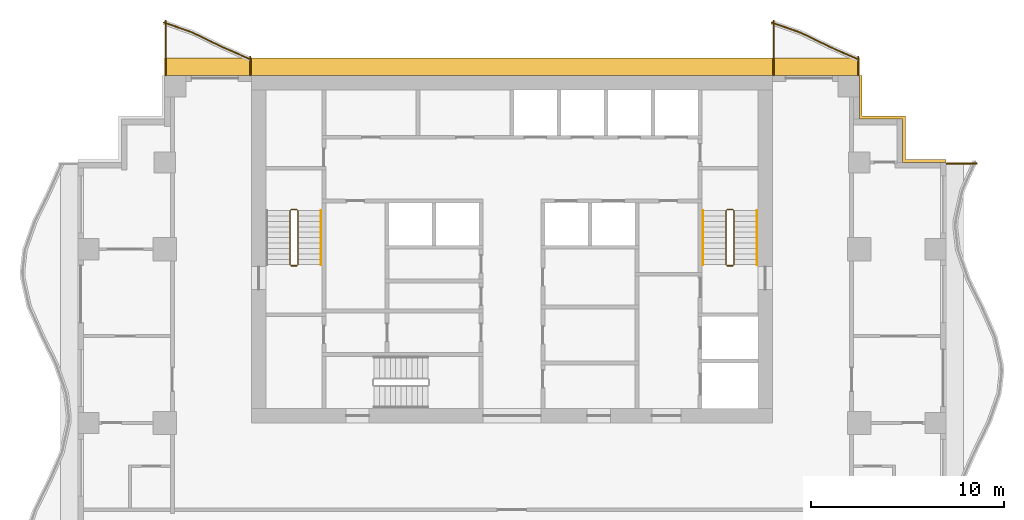
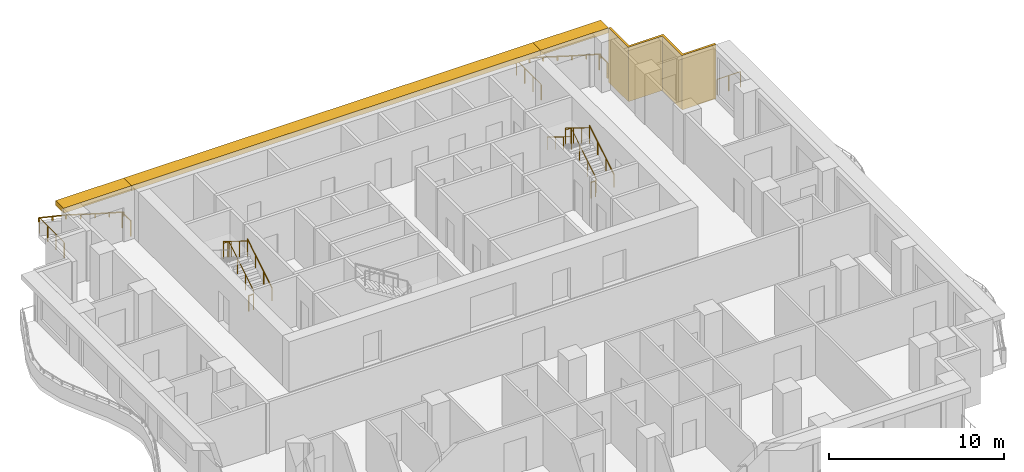
# One storey, part 10 of 10: 14 railings, 4 shading devices.
"""IFC4 building model written with IfcOpenShell, lengths in metres."""

from ifc_helpers import new_model, si_unit, direction, frame, origin, origin_2d, place, context, subcontext, project, spatial, polyline, rectangle, circle, outline, extrude, material, layer, layer_set, type_object, element, save


model = new_model("IFC4")

# Units and contexts
model_context = context("Model", 3, precision=1e-05, world=origin(), true_north=direction((0.0, 1.0)))
body_context = subcontext(model_context, "Body", "Model", "MODEL_VIEW")
ifc_project = project(units=[si_unit("LENGTHUNIT", "METRE"), si_unit("AREAUNIT", "SQUARE_METRE"), si_unit("VOLUMEUNIT", "CUBIC_METRE"), si_unit("PLANEANGLEUNIT", "RADIAN"), si_unit("MASSUNIT", "GRAM", prefix="KILO")], contexts=[model_context])

# Site, building, storey
site_placement = place(None, origin())
site = spatial("IfcSite", under=ifc_project, at=site_placement, CompositionType="ELEMENT")
building_placement = place(site_placement, origin())
building = spatial("IfcBuilding", under=site, at=building_placement, Name="Orbiselva Terraces", CompositionType="ELEMENT")
storey_placement = place(building_placement, frame((0.0, 0.0, 170.6)))
storey = spatial("IfcBuildingStorey", under=building, at=storey_placement, Name="L43", CompositionType="ELEMENT", Elevation=170.6)

# Railings
ifc_material_1 = material(Name="Stainless steel", Category="steel")
railing_type_1 = type_object("IfcRailingType", Name="CORE-GUARD-1100", PredefinedType="GUARDRAIL", material=ifc_material_1)
railing_1_placement = place(storey_placement, frame((-11.1, 12.7, 0.172727)))
element("IfcRailing", 1, at=railing_1_placement, inside=storey, type_object=railing_type_1, Name="L43 S1 stair guard 1", PredefinedType="GUARDRAIL", context=body_context, shape_type="SweptSolid", body=[
    extrude(circle(Radius=0.024, at=origin_2d()), frame((0.0, 0.0, 1.081), z_axis=(0.0, 0.851088519012, 0.52502222125), x_axis=(-1.0, 0.0, 0.0)), (0.0, 0.0, 1.0), 3.289905),
    extrude(circle(Radius=0.024, at=origin_2d()), frame((0.0, 2.8, 2.808273), z_axis=(-0.707106781187, 0.707106781187, 0.0), x_axis=(-0.707106781187, -0.707106781187, 0.0)), (0.0, 0.0, 1.0), 0.070711),
    extrude(circle(Radius=0.024, at=origin_2d()), frame((-0.05, 2.85, 2.808273), z_axis=(-1.0, 0.0, 0.0), x_axis=(0.0, -1.0, 0.0)), (0.0, 0.0, 1.0), 0.3),
    extrude(circle(Radius=0.024, at=origin_2d()), frame((-0.35, 2.85, 2.808273), z_axis=(-0.267894925557, -0.267894925557, 0.925453736133), x_axis=(0.707106781187, -0.707106781187, 0.0)), (0.0, 0.0, 1.0), 0.18664),
    extrude(circle(Radius=0.024, at=origin_2d()), frame((-0.4, 2.8, 2.981), z_axis=(0.0, -0.851088519012, 0.52502222125), x_axis=(1.0, 0.0, 0.0)), (0.0, 0.0, 1.0), 3.289905),
    extrude(circle(Radius=0.021, at=origin_2d()), origin(), (0.0, 0.0, 1.0), 1.057),
    extrude(circle(Radius=0.021, at=origin_2d()), frame((0.0, 0.933333, 0.575758)), (0.0, 0.0, 1.0), 1.057),
    extrude(circle(Radius=0.021, at=origin_2d()), frame((0.0, 1.866667, 1.151515)), (0.0, 0.0, 1.0), 1.057),
    extrude(circle(Radius=0.021, at=origin_2d()), frame((0.0, 2.8, 1.727273)), (0.0, 0.0, 1.0), 1.057),
    extrude(circle(Radius=0.021, at=origin_2d()), frame((-0.05, 2.85, 1.727273)), (0.0, 0.0, 1.0), 1.057),
    extrude(circle(Radius=0.021, at=origin_2d()), frame((-0.35, 2.85, 1.727273)), (0.0, 0.0, 1.0), 1.057),
    extrude(circle(Radius=0.021, at=origin_2d()), frame((-0.4, 2.8, 1.9)), (0.0, 0.0, 1.0), 1.057),
    extrude(circle(Radius=0.021, at=origin_2d()), frame((-0.4, 1.866667, 2.475758)), (0.0, 0.0, 1.0), 1.057),
    extrude(circle(Radius=0.021, at=origin_2d()), frame((-0.4, 0.933333, 3.051515)), (0.0, 0.0, 1.0), 1.057),
    extrude(circle(Radius=0.021, at=origin_2d()), frame((-0.4, 0.0, 3.627273)), (0.0, 0.0, 1.0), 1.057),
])
railing_2_placement = place(storey_placement, frame((-11.15, 12.65, 0.0)))
element("IfcRailing", 2, at=railing_2_placement, inside=storey, type_object=railing_type_1, Name="L43 S1 stair guard 2", PredefinedType="GUARDRAIL", context=body_context, shape_type="SweptSolid", body=[
    extrude(circle(Radius=0.024, at=origin_2d()), frame((0.0, 0.0, 1.081), z_axis=(-1.0, 0.0, 0.0), x_axis=(0.0, -1.0, 0.0)), (0.0, 0.0, 1.0), 0.3),
    extrude(circle(Radius=0.021, at=origin_2d()), origin(), (0.0, 0.0, 1.0), 1.057),
    extrude(circle(Radius=0.021, at=origin_2d()), frame((-0.3, 0.0, 0.0)), (0.0, 0.0, 1.0), 1.057),
])
railing_3_placement = place(storey_placement, frame((11.5, 12.7, 0.172727)))
element("IfcRailing", 3, at=railing_3_placement, inside=storey, type_object=railing_type_1, Name="L43 S2 stair guard 1", PredefinedType="GUARDRAIL", context=body_context, shape_type="SweptSolid", body=[
    extrude(circle(Radius=0.024, at=origin_2d()), frame((0.0, 0.0, 1.081), z_axis=(0.0, 0.851088519012, 0.52502222125), x_axis=(-1.0, 0.0, 0.0)), (0.0, 0.0, 1.0), 3.289905),
    extrude(circle(Radius=0.024, at=origin_2d()), frame((0.0, 2.8, 2.808273), z_axis=(-0.707106781187, 0.707106781187, 0.0), x_axis=(-0.707106781187, -0.707106781187, 0.0)), (0.0, 0.0, 1.0), 0.070711),
    extrude(circle(Radius=0.024, at=origin_2d()), frame((-0.05, 2.85, 2.808273), z_axis=(-1.0, 0.0, 0.0), x_axis=(0.0, -1.0, 0.0)), (0.0, 0.0, 1.0), 0.3),
    extrude(circle(Radius=0.024, at=origin_2d()), frame((-0.35, 2.85, 2.808273), z_axis=(-0.267894925557, -0.267894925557, 0.925453736133), x_axis=(0.707106781187, -0.707106781187, 0.0)), (0.0, 0.0, 1.0), 0.18664),
    extrude(circle(Radius=0.024, at=origin_2d()), frame((-0.4, 2.8, 2.981), z_axis=(0.0, -0.851088519012, 0.52502222125), x_axis=(1.0, 0.0, 0.0)), (0.0, 0.0, 1.0), 3.289905),
    extrude(circle(Radius=0.021, at=origin_2d()), origin(), (0.0, 0.0, 1.0), 1.057),
    extrude(circle(Radius=0.021, at=origin_2d()), frame((0.0, 0.933333, 0.575758)), (0.0, 0.0, 1.0), 1.057),
    extrude(circle(Radius=0.021, at=origin_2d()), frame((0.0, 1.866667, 1.151515)), (0.0, 0.0, 1.0), 1.057),
    extrude(circle(Radius=0.021, at=origin_2d()), frame((0.0, 2.8, 1.727273)), (0.0, 0.0, 1.0), 1.057),
    extrude(circle(Radius=0.021, at=origin_2d()), frame((-0.05, 2.85, 1.727273)), (0.0, 0.0, 1.0), 1.057),
    extrude(circle(Radius=0.021, at=origin_2d()), frame((-0.35, 2.85, 1.727273)), (0.0, 0.0, 1.0), 1.057),
    extrude(circle(Radius=0.021, at=origin_2d()), frame((-0.4, 2.8, 1.9)), (0.0, 0.0, 1.0), 1.057),
    extrude(circle(Radius=0.021, at=origin_2d()), frame((-0.4, 1.866667, 2.475758)), (0.0, 0.0, 1.0), 1.057),
    extrude(circle(Radius=0.021, at=origin_2d()), frame((-0.4, 0.933333, 3.051515)), (0.0, 0.0, 1.0), 1.057),
    extrude(circle(Radius=0.021, at=origin_2d()), frame((-0.4, 0.0, 3.627273)), (0.0, 0.0, 1.0), 1.057),
])
railing_4_placement = place(storey_placement, frame((11.45, 12.65, 0.0)))
element("IfcRailing", 4, at=railing_4_placement, inside=storey, type_object=railing_type_1, Name="L43 S2 stair guard 2", PredefinedType="GUARDRAIL", context=body_context, shape_type="SweptSolid", body=[
    extrude(circle(Radius=0.024, at=origin_2d()), frame((0.0, 0.0, 1.081), z_axis=(-1.0, 0.0, 0.0), x_axis=(0.0, -1.0, 0.0)), (0.0, 0.0, 1.0), 0.3),
    extrude(circle(Radius=0.021, at=origin_2d()), origin(), (0.0, 0.0, 1.0), 1.057),
    extrude(circle(Radius=0.021, at=origin_2d()), frame((-0.3, 0.0, 0.0)), (0.0, 0.0, 1.0), 1.057),
])
railing_type_2 = type_object("IfcRailingType", Name="CORE-HANDRAIL-900", PredefinedType="HANDRAIL", material=ifc_material_1)
for number, where, name in (
    (5, (-9.9, 12.7, 0.172727), "L43 S1 stair handrail 1"),
    (6, (12.7, 12.7, 0.172727), "L43 S2 stair handrail 1"),
):
    element("IfcRailing", number, at=place(storey_placement, frame(where)), inside=storey, type_object=railing_type_2, Name=name, PredefinedType="HANDRAIL", context=body_context, shape_type="SweptSolid", body=[
        extrude(circle(Radius=0.024, at=origin_2d()), frame((0.0, 0.0, 0.876), z_axis=(0.0, 0.851088519012, 0.52502222125), x_axis=(-1.0, 0.0, 0.0)), (0.0, 0.0, 1.0), 3.289905),
        extrude(circle(Radius=0.021, at=origin_2d()), origin(), (0.0, 0.0, 1.0), 0.852),
        extrude(circle(Radius=0.021, at=origin_2d()), frame((0.0, 0.933333, 0.575758)), (0.0, 0.0, 1.0), 0.852),
        extrude(circle(Radius=0.021, at=origin_2d()), frame((0.0, 1.866667, 1.151515)), (0.0, 0.0, 1.0), 0.852),
        extrude(circle(Radius=0.021, at=origin_2d()), frame((0.0, 2.8, 1.727273)), (0.0, 0.0, 1.0), 0.852),
    ])
railing_5_placement = place(storey_placement, frame((9.9, 15.5, 2.072727)))
element("IfcRailing", 7, at=railing_5_placement, inside=storey, type_object=railing_type_2, Name="L43 S2 stair handrail 2", PredefinedType="HANDRAIL", context=body_context, shape_type="SweptSolid", body=[
    extrude(circle(Radius=0.024, at=origin_2d()), frame((0.0, 0.0, 0.876), z_axis=(0.0, -0.851088519012, 0.52502222125), x_axis=(1.0, 0.0, 0.0)), (0.0, 0.0, 1.0), 3.289905),
    extrude(circle(Radius=0.021, at=origin_2d()), origin(), (0.0, 0.0, 1.0), 0.852),
    extrude(circle(Radius=0.021, at=origin_2d()), frame((0.0, -0.933333, 0.575758)), (0.0, 0.0, 1.0), 0.852),
    extrude(circle(Radius=0.021, at=origin_2d()), frame((0.0, -1.866667, 1.151515)), (0.0, 0.0, 1.0), 0.852),
    extrude(circle(Radius=0.021, at=origin_2d()), frame((0.0, -2.8, 1.727273)), (0.0, 0.0, 1.0), 0.852),
])
ifc_material_2 = material(Name="Bonded two-ply safety glass balustrade, stainless steel posts", Category="steel")
railing_type_3 = type_object("IfcRailingType", Name="ENV-BALUSTRADE-1200", PredefinedType="BALUSTRADE", material=ifc_material_2)
railing_6_placement = place(storey_placement, frame((17.949606, 23.33708, 0.9)))
element("IfcRailing", 8, at=railing_6_placement, inside=storey, type_object=railing_type_3, Name="Balcony balustrade L43 NE", PredefinedType="BALUSTRADE", context=body_context, shape_type="SweptSolid", body=[
    extrude(outline(polyline([(0.028868, 0.0), (0.014434, 0.025), (-0.014434, 0.025), (-0.028868, 0.0), (-0.014434, -0.025), (0.014434, -0.025), (0.028868, 0.0)])), frame((0.0, 0.0, 0.275), z_axis=(-0.915133394491, 0.403151175476, 0.0), x_axis=(-0.403151175476, -0.915133394491, 0.0)), (0.0, 0.0, 1.0), 1.641563),
    extrude(outline(polyline([(0.028868, 0.0), (0.014434, 0.025), (-0.014434, 0.025), (-0.028868, 0.0), (-0.014434, -0.025), (0.014434, -0.025), (0.028868, 0.0)])), frame((-1.502249, 0.661798, 0.275), z_axis=(-0.89857890432, 0.438811978768, 0.0), x_axis=(-0.438811978768, -0.89857890432, 0.0)), (0.0, 0.0, 1.0), 1.66438),
    extrude(outline(polyline([(0.028868, 0.0), (0.014434, 0.025), (-0.014434, 0.025), (-0.028868, 0.0), (-0.014434, -0.025), (0.014434, -0.025), (0.028868, 0.0)])), frame((-2.997826, 1.392148, 0.275), z_axis=(-0.943972354622, 0.330024535012, 0.0), x_axis=(-0.330024535012, -0.943972354622, 0.0)), (0.0, 0.0, 1.0), 1.581649),
    extrude(rectangle(XDim=0.05, YDim=0.05, at=origin_2d()), origin(), (0.0, 0.0, 1.0), 0.25),
    extrude(rectangle(XDim=0.05, YDim=0.05, at=origin_2d()), frame((-0.751124, 0.330899, 0.0)), (0.0, 0.0, 1.0), 0.25),
    extrude(rectangle(XDim=0.05, YDim=0.05, at=origin_2d()), frame((-1.502249, 0.661798, 0.0)), (0.0, 0.0, 1.0), 0.25),
    extrude(rectangle(XDim=0.05, YDim=0.05, at=origin_2d()), frame((-2.250037, 1.026973, 0.0)), (0.0, 0.0, 1.0), 0.25),
    extrude(rectangle(XDim=0.05, YDim=0.05, at=origin_2d()), frame((-2.997826, 1.392148, 0.0)), (0.0, 0.0, 1.0), 0.25),
    extrude(rectangle(XDim=0.05, YDim=0.05, at=origin_2d()), frame((-3.744342, 1.65314, 0.0)), (0.0, 0.0, 1.0), 0.25),
    extrude(rectangle(XDim=0.05, YDim=0.05, at=origin_2d()), frame((-4.490859, 1.914131, 0.0)), (0.0, 0.0, 1.0), 0.25),
])
railing_7_placement = place(storey_placement, frame((-13.550394, 23.33708, 0.9)))
element("IfcRailing", 9, at=railing_7_placement, inside=storey, type_object=railing_type_3, Name="Balcony balustrade L43 NW", PredefinedType="BALUSTRADE", context=body_context, shape_type="SweptSolid", body=[
    extrude(outline(polyline([(0.028868, 0.0), (0.014434, 0.025), (-0.014434, 0.025), (-0.028868, 0.0), (-0.014434, -0.025), (0.014434, -0.025), (0.028868, 0.0)])), frame((0.0, 0.0, 0.275), z_axis=(-0.915133394491, 0.403151175476, 0.0), x_axis=(-0.403151175476, -0.915133394491, 0.0)), (0.0, 0.0, 1.0), 1.641563),
    extrude(outline(polyline([(0.028868, 0.0), (0.014434, 0.025), (-0.014434, 0.025), (-0.028868, 0.0), (-0.014434, -0.025), (0.014434, -0.025), (0.028868, 0.0)])), frame((-1.502249, 0.661798, 0.275), z_axis=(-0.89857890432, 0.438811978768, 0.0), x_axis=(-0.438811978768, -0.89857890432, 0.0)), (0.0, 0.0, 1.0), 1.66438),
    extrude(outline(polyline([(0.028868, 0.0), (0.014434, 0.025), (-0.014434, 0.025), (-0.028868, 0.0), (-0.014434, -0.025), (0.014434, -0.025), (0.028868, 0.0)])), frame((-2.997826, 1.392148, 0.275), z_axis=(-0.943972354622, 0.330024535012, 0.0), x_axis=(-0.330024535012, -0.943972354622, 0.0)), (0.0, 0.0, 1.0), 1.581649),
    extrude(rectangle(XDim=0.05, YDim=0.05, at=origin_2d()), origin(), (0.0, 0.0, 1.0), 0.25),
    extrude(rectangle(XDim=0.05, YDim=0.05, at=origin_2d()), frame((-0.751124, 0.330899, 0.0)), (0.0, 0.0, 1.0), 0.25),
    extrude(rectangle(XDim=0.05, YDim=0.05, at=origin_2d()), frame((-1.502249, 0.661798, 0.0)), (0.0, 0.0, 1.0), 0.25),
    extrude(rectangle(XDim=0.05, YDim=0.05, at=origin_2d()), frame((-2.250037, 1.026973, 0.0)), (0.0, 0.0, 1.0), 0.25),
    extrude(rectangle(XDim=0.05, YDim=0.05, at=origin_2d()), frame((-2.997826, 1.392148, 0.0)), (0.0, 0.0, 1.0), 0.25),
    extrude(rectangle(XDim=0.05, YDim=0.05, at=origin_2d()), frame((-3.744342, 1.65314, 0.0)), (0.0, 0.0, 1.0), 0.25),
    extrude(rectangle(XDim=0.05, YDim=0.05, at=origin_2d()), frame((-4.490859, 1.914131, 0.0)), (0.0, 0.0, 1.0), 0.25),
])
ifc_material_3 = material(Name="Stainless steel rail and posts", Category="steel")
railing_type_4 = type_object("IfcRailingType", Name="ENV-GUARD-1105", PredefinedType="BALUSTRADE", material=ifc_material_3)
railing_8_placement = place(storey_placement, frame((24.082553, 17.94, 0.0)))
element("IfcRailing", 10, at=railing_8_placement, inside=storey, type_object=railing_type_4, Name="Balcony end guard L43 E", PredefinedType="BALUSTRADE", context=body_context, shape_type="SweptSolid", body=[
    extrude(outline(polyline([(0.028868, 0.0), (0.014434, 0.025), (-0.014434, 0.025), (-0.028868, 0.0), (-0.014434, -0.025), (0.014434, -0.025), (0.028868, 0.0)])), frame((0.0, 0.0, 1.08), z_axis=(-1.0, 0.0, 0.0), x_axis=(0.0, -1.0, 0.0)), (0.0, 0.0, 1.0), 1.557553),
    extrude(rectangle(XDim=0.05, YDim=0.05, at=origin_2d()), origin(), (0.0, 0.0, 1.0), 1.055),
    extrude(rectangle(XDim=0.05, YDim=0.05, at=origin_2d()), frame((-0.778777, 0.0, 0.0)), (0.0, 0.0, 1.0), 1.055),
    extrude(rectangle(XDim=0.05, YDim=0.05, at=origin_2d()), frame((-1.557553, 0.0, 0.0)), (0.0, 0.0, 1.0), 1.055),
])
railing_9_placement = place(storey_placement, frame((17.94, 23.473063, 0.0)))
element("IfcRailing", 11, at=railing_9_placement, inside=storey, type_object=railing_type_4, Name="Balcony end guard L43 NE", PredefinedType="BALUSTRADE", context=body_context, shape_type="SweptSolid", body=[
    extrude(outline(polyline([(0.028868, 0.0), (0.014434, 0.025), (-0.014434, 0.025), (-0.028868, 0.0), (-0.014434, -0.025), (0.014434, -0.025), (0.028868, 0.0)])), frame((0.0, 0.0, 1.08), z_axis=(0.0, -1.0, 0.0), x_axis=(1.0, 0.0, 0.0)), (0.0, 0.0, 1.0), 0.948063),
    extrude(rectangle(XDim=0.05, YDim=0.05, at=origin_2d()), origin(), (0.0, 0.0, 1.0), 1.055),
    extrude(rectangle(XDim=0.05, YDim=0.05, at=origin_2d()), frame((0.0, -0.948063, 0.0)), (0.0, 0.0, 1.0), 1.055),
])
railing_10_placement = place(storey_placement, frame((13.56, 25.35518, 0.0)))
element("IfcRailing", 12, at=railing_10_placement, inside=storey, type_object=railing_type_4, Name="Balcony end guard L43 NE", PredefinedType="BALUSTRADE", context=body_context, shape_type="SweptSolid", body=[
    extrude(outline(polyline([(0.028868, 0.0), (0.014434, 0.025), (-0.014434, 0.025), (-0.028868, 0.0), (-0.014434, -0.025), (0.014434, -0.025), (0.028868, 0.0)])), frame((0.0, 0.0, 1.08), z_axis=(0.0, -1.0, 0.0), x_axis=(1.0, 0.0, 0.0)), (0.0, 0.0, 1.0), 2.83018),
    extrude(rectangle(XDim=0.05, YDim=0.05, at=origin_2d()), origin(), (0.0, 0.0, 1.0), 1.055),
    extrude(rectangle(XDim=0.05, YDim=0.05, at=origin_2d()), frame((0.0, -0.943393, 0.0)), (0.0, 0.0, 1.0), 1.055),
    extrude(rectangle(XDim=0.05, YDim=0.05, at=origin_2d()), frame((0.0, -1.886787, 0.0)), (0.0, 0.0, 1.0), 1.055),
    extrude(rectangle(XDim=0.05, YDim=0.05, at=origin_2d()), frame((0.0, -2.83018, 0.0)), (0.0, 0.0, 1.0), 1.055),
])
railing_11_placement = place(storey_placement, frame((-13.56, 23.473063, 0.0)))
element("IfcRailing", 13, at=railing_11_placement, inside=storey, type_object=railing_type_4, Name="Balcony end guard L43 NW", PredefinedType="BALUSTRADE", context=body_context, shape_type="SweptSolid", body=[
    extrude(outline(polyline([(0.028868, 0.0), (0.014434, 0.025), (-0.014434, 0.025), (-0.028868, 0.0), (-0.014434, -0.025), (0.014434, -0.025), (0.028868, 0.0)])), frame((0.0, 0.0, 1.08), z_axis=(0.0, -1.0, 0.0), x_axis=(1.0, 0.0, 0.0)), (0.0, 0.0, 1.0), 0.948063),
    extrude(rectangle(XDim=0.05, YDim=0.05, at=origin_2d()), origin(), (0.0, 0.0, 1.0), 1.055),
    extrude(rectangle(XDim=0.05, YDim=0.05, at=origin_2d()), frame((0.0, -0.948063, 0.0)), (0.0, 0.0, 1.0), 1.055),
])
railing_12_placement = place(storey_placement, frame((-17.94, 25.35518, 0.0)))
element("IfcRailing", 14, at=railing_12_placement, inside=storey, type_object=railing_type_4, Name="Balcony end guard L43 NW", PredefinedType="BALUSTRADE", context=body_context, shape_type="SweptSolid", body=[
    extrude(outline(polyline([(0.028868, 0.0), (0.014434, 0.025), (-0.014434, 0.025), (-0.028868, 0.0), (-0.014434, -0.025), (0.014434, -0.025), (0.028868, 0.0)])), frame((0.0, 0.0, 1.08), z_axis=(0.0, -1.0, 0.0), x_axis=(1.0, 0.0, 0.0)), (0.0, 0.0, 1.0), 2.83018),
    extrude(rectangle(XDim=0.05, YDim=0.05, at=origin_2d()), origin(), (0.0, 0.0, 1.0), 1.055),
    extrude(rectangle(XDim=0.05, YDim=0.05, at=origin_2d()), frame((0.0, -0.943393, 0.0)), (0.0, 0.0, 1.0), 1.055),
    extrude(rectangle(XDim=0.05, YDim=0.05, at=origin_2d()), frame((0.0, -1.886787, 0.0)), (0.0, 0.0, 1.0), 1.055),
    extrude(rectangle(XDim=0.05, YDim=0.05, at=origin_2d()), frame((0.0, -2.83018, 0.0)), (0.0, 0.0, 1.0), 1.055),
])

# Shading devices
ifc_material_4 = material(Name="Terracotta louvre screen", Category="masonry")
ifc_layer_1 = layer(ifc_material_4, 0.15)
ifc_layer_set_1 = layer_set([ifc_layer_1], Name="Terracotta louvre screen")
shading_device_type_1 = type_object("IfcShadingDeviceType", Name="ENV-SCREEN-150", PredefinedType="USERDEFINED", material=ifc_layer_set_1)
shading_device_1_placement = place(storey_placement, frame((0.0, 0.0, -0.3)))
element("IfcShadingDevice", 15, at=shading_device_1_placement, inside=storey, type_object=shading_device_type_1, Name="Louvre screen L43 NE", ObjectType="SCREEN", PredefinedType="USERDEFINED", context=body_context, shape_type="SweptSolid", body=[
    extrude(outline(polyline([(22.5, 18.15), (20.4, 18.15), (20.4, 20.4), (18.15, 20.4), (18.15, 22.5), (18.0, 22.5), (18.0, 20.25), (20.25, 20.25), (20.25, 18.0), (22.5, 18.0), (22.5, 18.15)])), origin(), (0.0, 0.0, 1.0), 3.8),
])
ifc_material_5 = material(Name="Terracotta baguette sunshade", Category="masonry")
ifc_layer_2 = layer(ifc_material_5, 0.35)
ifc_layer_set_2 = layer_set([ifc_layer_2], Name="Terracotta baguette sunshade")
shading_device_type_2 = type_object("IfcShadingDeviceType", Name="ENV-SUNSHADE-900x350", PredefinedType="USERDEFINED", material=ifc_layer_set_2)
shading_device_2_placement = place(storey_placement, frame((0.0, 0.0, 3.15)))
element("IfcShadingDevice", 16, at=shading_device_2_placement, inside=storey, type_object=shading_device_type_2, Name="Sunshade band L43 NE", ObjectType="SUNSHADE", PredefinedType="USERDEFINED", context=body_context, shape_type="SweptSolid", body=[
    extrude(outline(polyline([(18.0, 23.4), (13.5, 23.4), (13.5, 22.5), (18.0, 22.5), (18.0, 23.4)])), origin(), (0.0, 0.0, 1.0), 0.35),
])
shading_device_3_placement = place(storey_placement, frame((0.0, 0.0, 3.15)))
element("IfcShadingDevice", 17, at=shading_device_3_placement, inside=storey, type_object=shading_device_type_2, Name="Sunshade band L43 CORE NORTH", ObjectType="SUNSHADE", PredefinedType="USERDEFINED", context=body_context, shape_type="SweptSolid", body=[
    extrude(outline(polyline([(13.5, 23.4), (-13.5, 23.4), (-13.5, 22.5), (13.5, 22.5), (13.5, 23.4)])), origin(), (0.0, 0.0, 1.0), 0.35),
])
shading_device_4_placement = place(storey_placement, frame((0.0, 0.0, 3.15)))
element("IfcShadingDevice", 18, at=shading_device_4_placement, inside=storey, type_object=shading_device_type_2, Name="Sunshade band L43 NW", ObjectType="SUNSHADE", PredefinedType="USERDEFINED", context=body_context, shape_type="SweptSolid", body=[
    extrude(outline(polyline([(-13.5, 23.4), (-18.0, 23.4), (-18.0, 22.5), (-13.5, 22.5), (-13.5, 23.4)])), origin(), (0.0, 0.0, 1.0), 0.35),
])

save(model, "model.ifc")
